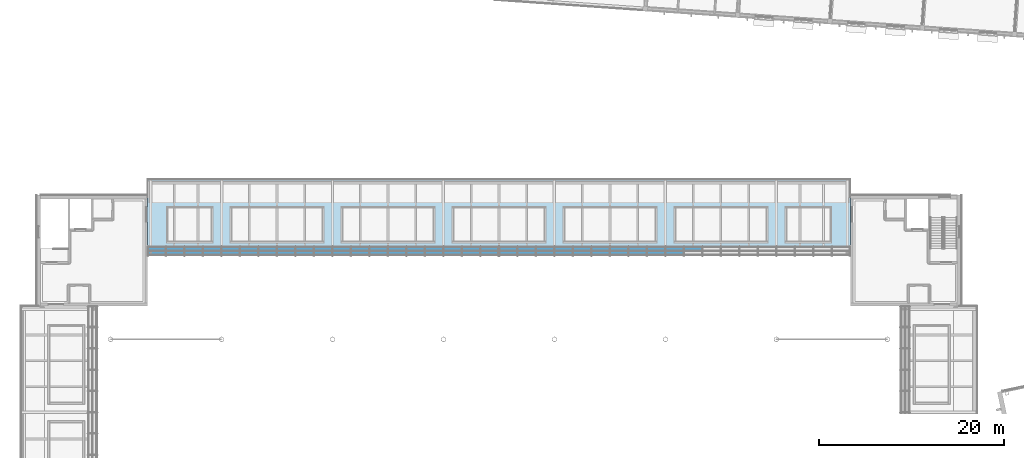
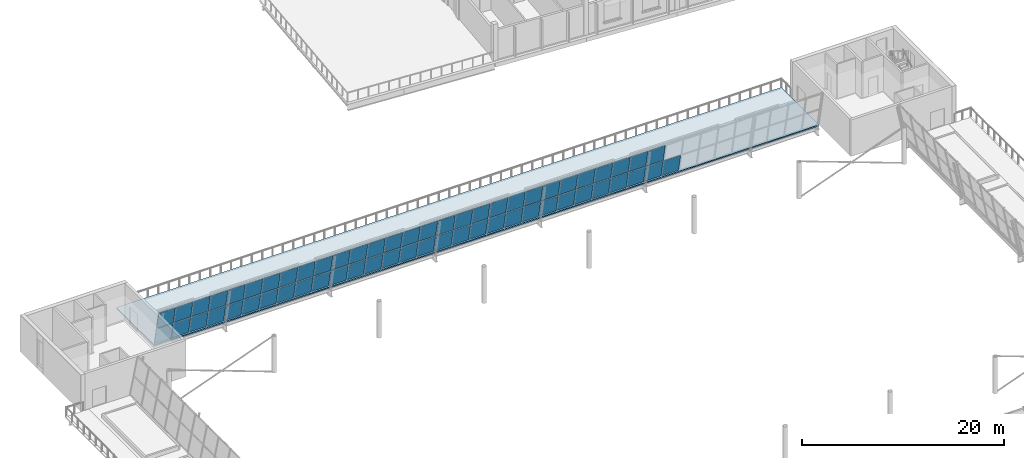
# One storey, part 28 of 58: 59 plates, 1 slab, 2 elements without a shape of their own.
"""IFC4 building model written with IfcOpenShell, lengths in metres."""

from ifc_helpers import new_model, si_unit, direction, frame, origin, place, context, subcontext, project, spatial, polyline, outline, extrude, material, layer, layer_set, type_object, element, aggregate, save


model = new_model("IFC4")

# Units and contexts
model_context = context("Model", 3, precision=1e-05, world=origin(), true_north=direction((0.0, 1.0)))
body_context = subcontext(model_context, "Body", "Model", "MODEL_VIEW")
ifc_project = project(units=[si_unit("LENGTHUNIT", "METRE"), si_unit("AREAUNIT", "SQUARE_METRE"), si_unit("VOLUMEUNIT", "CUBIC_METRE"), si_unit("PLANEANGLEUNIT", "RADIAN"), si_unit("MASSUNIT", "GRAM", prefix="KILO")], contexts=[model_context])

# Site, building, storey
site_placement = place(None, origin())
site = spatial("IfcSite", under=ifc_project, at=site_placement, CompositionType="ELEMENT")
building_placement = place(site_placement, origin())
building = spatial("IfcBuilding", under=site, at=building_placement, Name="Windward Yard Aquatics Centre", CompositionType="ELEMENT")
storey_placement = place(building_placement, frame((0.0, 0.0, 13.800048828125)))
storey = spatial("IfcBuildingStorey", under=building, at=storey_placement, Name="L03", CompositionType="ELEMENT", Elevation=13.800048828125)

# Slab
ifc_material_1 = material(Name="Bituminous waterproofing membrane with root barrier")
ifc_layer_1 = layer(ifc_material_1, 0.005, Name="Waterproofing and root barrier")
ifc_material_2 = material(Name="Cement screed laid to falls")
ifc_layer_2 = layer(ifc_material_2, 0.025, Name="Screed to falls")
ifc_material_3 = material(Name="Concrete C35/45", Category="concrete")
ifc_layer_3 = layer(ifc_material_3, 0.12, Name="Structure")
ifc_layer_set_1 = layer_set([ifc_layer_1, ifc_layer_2, ifc_layer_3], Name="H terrace slab 150 C35/45")
slab_type = type_object("IfcSlabType", Name="H terrace slab 150 C35/45", PredefinedType="FLOOR", material=ifc_layer_set_1)
slab_placement = place(storey_placement, frame((0.0, 0.0, -0.150146484375)))
element("IfcSlab", 1, at=slab_placement, inside=storey, type_object=slab_type, Name="H.T1.N", PredefinedType="FLOOR", context=body_context, shape_type="SweptSolid", body=[
    extrude(outline(polyline([(64.0, 90.290283203125), (140.0, 90.290283203125), (140.0, 97.790283203125), (64.0, 97.790283203125), (64.0, 90.290283203125)])), origin(), (0.0, 0.0, 1.0), 0.150146484375),
])

# Curtain wall, plates
ifc_material_4 = material(Name="Glass and aluminium curtain wall", Category="aluminium")
ifc_layer_4 = layer(ifc_material_4, 0.179931640625)
ifc_layer_set_2 = layer_set([ifc_layer_4], Name="H curtain wall tier 2 double glazed 6+16+6")
curtain_wall_type = type_object("IfcCurtainWallType", Name="H curtain wall tier 2 double glazed 6+16+6", PredefinedType="NOTDEFINED", material=ifc_layer_set_2)
curtain_wall_1_placement = place(storey_placement, origin())
curtain_wall_1 = element("IfcCurtainWall", 2, at=curtain_wall_1_placement, inside=storey, type_object=curtain_wall_type, Name="Tier 2 glazing N L03", PredefinedType="NOTDEFINED")
ifc_material_5 = material(Name="Low-iron glass", Category="glass")
ifc_layer_5 = layer(ifc_material_5, 0.006, Name="Outer pane")
ifc_material_6 = material(Name="Argon-filled cavity")
ifc_layer_6 = layer(ifc_material_6, 0.016, Name="Cavity")
ifc_layer_7 = layer(ifc_material_5, 0.006, Name="Inner pane")
ifc_layer_set_3 = layer_set([ifc_layer_5, ifc_layer_6, ifc_layer_7], Name="H tier 2 glass low-e double glazed unit 28")
plate_type = type_object("IfcPlateType", Name="H tier 2 glass low-e double glazed unit 28", PredefinedType="CURTAIN_PANEL", material=ifc_layer_set_3)
plate_1_placement = place(storey_placement, frame((64.06494140625, 89.966064453125, 2.15380859375), z_axis=(0.0, 0.979914212601, 0.199419497399), x_axis=(0.0, 0.199419497399, -0.979914212601)))
plate_1 = element("IfcPlate", 3, at=plate_1_placement, type_object=plate_type, Name="G2NA panel 1.1", PredefinedType="CURTAIN_PANEL", context=body_context, shape_type="SweptSolid", body=[
    extrude(outline(polyline([(0.0, 0.0), (2.088582, 0.0), (2.088582, -1.902344), (0.0, -1.902344), (0.0, 0.0)])), origin(), (0.0, 0.0, -1.0), 0.028076171875),
])
plate_2_placement = place(storey_placement, frame((64.06494140625, 89.528564453125, 4.3046875), z_axis=(0.0, 0.979943605564, 0.199275010764), x_axis=(0.0, 0.199275010764, -0.979943605564)))
plate_2 = element("IfcPlate", 4, at=plate_2_placement, type_object=plate_type, Name="G2NA panel 1.2", PredefinedType="CURTAIN_PANEL", context=body_context, shape_type="SweptSolid", body=[
    extrude(outline(polyline([(0.0, 0.0), (2.094997, 0.0), (2.094997, -1.902344), (0.0, -1.902344), (0.0, 0.0)])), origin(), (0.0, 0.0, -1.0), 0.028076171875),
])
plate_3_placement = place(storey_placement, frame((66.0322265625, 89.966064453125, 2.15380859375), z_axis=(0.0, 0.979914212601, 0.199419497399), x_axis=(0.0, 0.199419497399, -0.979914212601)))
plate_3 = element("IfcPlate", 5, at=plate_3_placement, type_object=plate_type, Name="G2NA panel 2.1", PredefinedType="CURTAIN_PANEL", context=body_context, shape_type="SweptSolid", body=[
    extrude(outline(polyline([(0.0, 0.0), (2.088582, 0.0), (2.088582, -1.934814), (0.0, -1.934814), (0.0, 0.0)])), origin(), (0.0, 0.0, -1.0), 0.028076171875),
])
plate_4_placement = place(storey_placement, frame((66.0322265625, 89.528564453125, 4.3046875), z_axis=(0.0, 0.979943605564, 0.199275010764), x_axis=(0.0, 0.199275010764, -0.979943605564)))
plate_4 = element("IfcPlate", 6, at=plate_4_placement, type_object=plate_type, Name="G2NA panel 2.2", PredefinedType="CURTAIN_PANEL", context=body_context, shape_type="SweptSolid", body=[
    extrude(outline(polyline([(0.0, 0.0), (2.094997, 0.0), (2.094997, -1.934814), (0.0, -1.934814), (0.0, 0.0)])), origin(), (0.0, 0.0, -1.0), 0.028076171875),
])
plate_5_placement = place(storey_placement, frame((68.031982421875, 89.966064453125, 2.15380859375), z_axis=(0.0, 0.979914212601, 0.199419497399), x_axis=(0.0, 0.199419497399, -0.979914212601)))
plate_5 = element("IfcPlate", 7, at=plate_5_placement, type_object=plate_type, Name="G2NA panel 3.1", PredefinedType="CURTAIN_PANEL", context=body_context, shape_type="SweptSolid", body=[
    extrude(outline(polyline([(0.0, 0.0), (2.088582, 0.0), (2.088582, -1.934814), (0.0, -1.934814), (0.0, 0.0)])), origin(), (0.0, 0.0, -1.0), 0.028076171875),
])
plate_6_placement = place(storey_placement, frame((68.031982421875, 89.528564453125, 4.3046875), z_axis=(0.0, 0.979943605564, 0.199275010764), x_axis=(0.0, 0.199275010764, -0.979943605564)))
plate_6 = element("IfcPlate", 8, at=plate_6_placement, type_object=plate_type, Name="G2NA panel 3.2", PredefinedType="CURTAIN_PANEL", context=body_context, shape_type="SweptSolid", body=[
    extrude(outline(polyline([(0.0, 0.0), (2.094997, 0.0), (2.094997, -1.934814), (0.0, -1.934814), (0.0, 0.0)])), origin(), (0.0, 0.0, -1.0), 0.028076171875),
])
plate_7_placement = place(storey_placement, frame((70.03173828125, 89.966064453125, 2.15380859375), z_axis=(0.0, 0.979914212601, 0.199419497399), x_axis=(0.0, 0.199419497399, -0.979914212601)))
plate_7 = element("IfcPlate", 9, at=plate_7_placement, type_object=plate_type, Name="G2NA panel 4.1", PredefinedType="CURTAIN_PANEL", context=body_context, shape_type="SweptSolid", body=[
    extrude(outline(polyline([(0.0, 0.0), (2.088582, 0.0), (2.088582, -1.934814), (0.0, -1.934814), (0.0, 0.0)])), origin(), (0.0, 0.0, -1.0), 0.028076171875),
])
plate_8_placement = place(storey_placement, frame((70.03173828125, 89.528564453125, 4.3046875), z_axis=(0.0, 0.979943605564, 0.199275010764), x_axis=(0.0, 0.199275010764, -0.979943605564)))
plate_8 = element("IfcPlate", 10, at=plate_8_placement, type_object=plate_type, Name="G2NA panel 4.2", PredefinedType="CURTAIN_PANEL", context=body_context, shape_type="SweptSolid", body=[
    extrude(outline(polyline([(0.0, 0.0), (2.094997, 0.0), (2.094997, -1.934814), (0.0, -1.934814), (0.0, 0.0)])), origin(), (0.0, 0.0, -1.0), 0.028076171875),
])
plate_9_placement = place(storey_placement, frame((72.031494140625, 89.966064453125, 2.15380859375), z_axis=(0.0, 0.979914212601, 0.199419497399), x_axis=(0.0, 0.199419497399, -0.979914212601)))
plate_9 = element("IfcPlate", 11, at=plate_9_placement, type_object=plate_type, Name="G2NA panel 5.1", PredefinedType="CURTAIN_PANEL", context=body_context, shape_type="SweptSolid", body=[
    extrude(outline(polyline([(0.0, 0.0), (2.088582, 0.0), (2.088582, -1.93457), (0.0, -1.93457), (0.0, 0.0)])), origin(), (0.0, 0.0, -1.0), 0.028076171875),
])
plate_10_placement = place(storey_placement, frame((72.031494140625, 89.528564453125, 4.3046875), z_axis=(0.0, 0.979943605564, 0.199275010764), x_axis=(0.0, 0.199275010764, -0.979943605564)))
plate_10 = element("IfcPlate", 12, at=plate_10_placement, type_object=plate_type, Name="G2NA panel 5.2", PredefinedType="CURTAIN_PANEL", context=body_context, shape_type="SweptSolid", body=[
    extrude(outline(polyline([(0.0, 0.0), (2.094997, 0.0), (2.094997, -1.93457), (0.0, -1.93457), (0.0, 0.0)])), origin(), (0.0, 0.0, -1.0), 0.028076171875),
])
plate_11_placement = place(storey_placement, frame((74.03125, 89.966064453125, 2.15380859375), z_axis=(0.0, 0.979914212601, 0.199419497399), x_axis=(0.0, 0.199419497399, -0.979914212601)))
plate_11 = element("IfcPlate", 13, at=plate_11_placement, type_object=plate_type, Name="G2NA panel 6.1", PredefinedType="CURTAIN_PANEL", context=body_context, shape_type="SweptSolid", body=[
    extrude(outline(polyline([(0.0, 0.0), (2.088582, 0.0), (2.088582, -1.93457), (0.0, -1.93457), (0.0, 0.0)])), origin(), (0.0, 0.0, -1.0), 0.028076171875),
])
plate_12_placement = place(storey_placement, frame((74.03125, 89.528564453125, 4.3046875), z_axis=(0.0, 0.979943605564, 0.199275010764), x_axis=(0.0, 0.199275010764, -0.979943605564)))
plate_12 = element("IfcPlate", 14, at=plate_12_placement, type_object=plate_type, Name="G2NA panel 6.2", PredefinedType="CURTAIN_PANEL", context=body_context, shape_type="SweptSolid", body=[
    extrude(outline(polyline([(0.0, 0.0), (2.094997, 0.0), (2.094997, -1.93457), (0.0, -1.93457), (0.0, 0.0)])), origin(), (0.0, 0.0, -1.0), 0.028076171875),
])
plate_13_placement = place(storey_placement, frame((76.031005859375, 89.966064453125, 2.15380859375), z_axis=(0.0, 0.979914212601, 0.199419497399), x_axis=(0.0, 0.199419497399, -0.979914212601)))
plate_13 = element("IfcPlate", 15, at=plate_13_placement, type_object=plate_type, Name="G2NA panel 7.1", PredefinedType="CURTAIN_PANEL", context=body_context, shape_type="SweptSolid", body=[
    extrude(outline(polyline([(0.0, 0.0), (2.088582, 0.0), (2.088582, -1.93457), (0.0, -1.93457), (0.0, 0.0)])), origin(), (0.0, 0.0, -1.0), 0.028076171875),
])
plate_14_placement = place(storey_placement, frame((76.031005859375, 89.528564453125, 4.3046875), z_axis=(0.0, 0.979943605564, 0.199275010764), x_axis=(0.0, 0.199275010764, -0.979943605564)))
plate_14 = element("IfcPlate", 16, at=plate_14_placement, type_object=plate_type, Name="G2NA panel 7.2", PredefinedType="CURTAIN_PANEL", context=body_context, shape_type="SweptSolid", body=[
    extrude(outline(polyline([(0.0, 0.0), (2.094997, 0.0), (2.094997, -1.93457), (0.0, -1.93457), (0.0, 0.0)])), origin(), (0.0, 0.0, -1.0), 0.028076171875),
])
plate_15_placement = place(storey_placement, frame((78.03076171875, 89.966064453125, 2.15380859375), z_axis=(0.0, 0.979914212601, 0.199419497399), x_axis=(0.0, 0.199419497399, -0.979914212601)))
plate_15 = element("IfcPlate", 17, at=plate_15_placement, type_object=plate_type, Name="G2NA panel 8.1", PredefinedType="CURTAIN_PANEL", context=body_context, shape_type="SweptSolid", body=[
    extrude(outline(polyline([(0.0, 0.0), (2.088582, 0.0), (2.088582, -1.93457), (0.0, -1.93457), (0.0, 0.0)])), origin(), (0.0, 0.0, -1.0), 0.028076171875),
])
plate_16_placement = place(storey_placement, frame((78.03076171875, 89.528564453125, 4.3046875), z_axis=(0.0, 0.979943605564, 0.199275010764), x_axis=(0.0, 0.199275010764, -0.979943605564)))
plate_16 = element("IfcPlate", 18, at=plate_16_placement, type_object=plate_type, Name="G2NA panel 8.2", PredefinedType="CURTAIN_PANEL", context=body_context, shape_type="SweptSolid", body=[
    extrude(outline(polyline([(0.0, 0.0), (2.094997, 0.0), (2.094997, -1.93457), (0.0, -1.93457), (0.0, 0.0)])), origin(), (0.0, 0.0, -1.0), 0.028076171875),
])
plate_17_placement = place(storey_placement, frame((80.0302734375, 89.966064453125, 2.15380859375), z_axis=(0.0, 0.979914212601, 0.199419497399), x_axis=(0.0, 0.199419497399, -0.979914212601)))
plate_17 = element("IfcPlate", 19, at=plate_17_placement, type_object=plate_type, Name="G2NA panel 9.1", PredefinedType="CURTAIN_PANEL", context=body_context, shape_type="SweptSolid", body=[
    extrude(outline(polyline([(0.0, 0.0), (2.088582, 0.0), (2.088582, -1.934814), (0.0, -1.934814), (0.0, 0.0)])), origin(), (0.0, 0.0, -1.0), 0.028076171875),
])
plate_18_placement = place(storey_placement, frame((80.0302734375, 89.528564453125, 4.3046875), z_axis=(0.0, 0.979943605564, 0.199275010764), x_axis=(0.0, 0.199275010764, -0.979943605564)))
plate_18 = element("IfcPlate", 20, at=plate_18_placement, type_object=plate_type, Name="G2NA panel 9.2", PredefinedType="CURTAIN_PANEL", context=body_context, shape_type="SweptSolid", body=[
    extrude(outline(polyline([(0.0, 0.0), (2.094997, 0.0), (2.094997, -1.934814), (0.0, -1.934814), (0.0, 0.0)])), origin(), (0.0, 0.0, -1.0), 0.028076171875),
])
plate_19_placement = place(storey_placement, frame((82.030029296875, 89.966064453125, 2.15380859375), z_axis=(0.0, 0.979914212601, 0.199419497399), x_axis=(0.0, 0.199419497399, -0.979914212601)))
plate_19 = element("IfcPlate", 21, at=plate_19_placement, type_object=plate_type, Name="G2NA panel 10.1", PredefinedType="CURTAIN_PANEL", context=body_context, shape_type="SweptSolid", body=[
    extrude(outline(polyline([(0.0, 0.0), (2.088582, 0.0), (2.088582, -1.934814), (0.0, -1.934814), (0.0, 0.0)])), origin(), (0.0, 0.0, -1.0), 0.028076171875),
])
plate_20_placement = place(storey_placement, frame((82.030029296875, 89.528564453125, 4.3046875), z_axis=(0.0, 0.979943605564, 0.199275010764), x_axis=(0.0, 0.199275010764, -0.979943605564)))
plate_20 = element("IfcPlate", 22, at=plate_20_placement, type_object=plate_type, Name="G2NA panel 10.2", PredefinedType="CURTAIN_PANEL", context=body_context, shape_type="SweptSolid", body=[
    extrude(outline(polyline([(0.0, 0.0), (2.094997, 0.0), (2.094997, -1.934814), (0.0, -1.934814), (0.0, 0.0)])), origin(), (0.0, 0.0, -1.0), 0.028076171875),
])
plate_21_placement = place(storey_placement, frame((84.02978515625, 89.966064453125, 2.15380859375), z_axis=(0.0, 0.979914212601, 0.199419497399), x_axis=(0.0, 0.199419497399, -0.979914212601)))
plate_21 = element("IfcPlate", 23, at=plate_21_placement, type_object=plate_type, Name="G2NA panel 11.1", PredefinedType="CURTAIN_PANEL", context=body_context, shape_type="SweptSolid", body=[
    extrude(outline(polyline([(0.0, 0.0), (2.088582, 0.0), (2.088582, -1.934814), (0.0, -1.934814), (0.0, 0.0)])), origin(), (0.0, 0.0, -1.0), 0.028076171875),
])
plate_22_placement = place(storey_placement, frame((84.02978515625, 89.528564453125, 4.3046875), z_axis=(0.0, 0.979943605564, 0.199275010764), x_axis=(0.0, 0.199275010764, -0.979943605564)))
plate_22 = element("IfcPlate", 24, at=plate_22_placement, type_object=plate_type, Name="G2NA panel 11.2", PredefinedType="CURTAIN_PANEL", context=body_context, shape_type="SweptSolid", body=[
    extrude(outline(polyline([(0.0, 0.0), (2.094997, 0.0), (2.094997, -1.934814), (0.0, -1.934814), (0.0, 0.0)])), origin(), (0.0, 0.0, -1.0), 0.028076171875),
])
plate_23_placement = place(storey_placement, frame((86.029541015625, 89.966064453125, 2.15380859375), z_axis=(0.0, 0.979914212601, 0.199419497399), x_axis=(0.0, 0.199419497399, -0.979914212601)))
plate_23 = element("IfcPlate", 25, at=plate_23_placement, type_object=plate_type, Name="G2NA panel 12.1", PredefinedType="CURTAIN_PANEL", context=body_context, shape_type="SweptSolid", body=[
    extrude(outline(polyline([(0.0, 0.0), (2.088582, 0.0), (2.088582, -1.934814), (0.0, -1.934814), (0.0, 0.0)])), origin(), (0.0, 0.0, -1.0), 0.028076171875),
])
plate_24_placement = place(storey_placement, frame((86.029541015625, 89.528564453125, 4.3046875), z_axis=(0.0, 0.979943605564, 0.199275010764), x_axis=(0.0, 0.199275010764, -0.979943605564)))
plate_24 = element("IfcPlate", 26, at=plate_24_placement, type_object=plate_type, Name="G2NA panel 12.2", PredefinedType="CURTAIN_PANEL", context=body_context, shape_type="SweptSolid", body=[
    extrude(outline(polyline([(0.0, 0.0), (2.094997, 0.0), (2.094997, -1.934814), (0.0, -1.934814), (0.0, 0.0)])), origin(), (0.0, 0.0, -1.0), 0.028076171875),
])
plate_25_placement = place(storey_placement, frame((88.029296875, 89.966064453125, 2.15380859375), z_axis=(0.0, 0.979914212601, 0.199419497399), x_axis=(0.0, 0.199419497399, -0.979914212601)))
plate_25 = element("IfcPlate", 27, at=plate_25_placement, type_object=plate_type, Name="G2NA panel 13.1", PredefinedType="CURTAIN_PANEL", context=body_context, shape_type="SweptSolid", body=[
    extrude(outline(polyline([(0.0, 0.0), (2.088582, 0.0), (2.088582, -1.934814), (0.0, -1.934814), (0.0, 0.0)])), origin(), (0.0, 0.0, -1.0), 0.028076171875),
])
plate_26_placement = place(storey_placement, frame((88.029296875, 89.528564453125, 4.3046875), z_axis=(0.0, 0.979943605564, 0.199275010764), x_axis=(0.0, 0.199275010764, -0.979943605564)))
plate_26 = element("IfcPlate", 28, at=plate_26_placement, type_object=plate_type, Name="G2NA panel 13.2", PredefinedType="CURTAIN_PANEL", context=body_context, shape_type="SweptSolid", body=[
    extrude(outline(polyline([(0.0, 0.0), (2.094997, 0.0), (2.094997, -1.934814), (0.0, -1.934814), (0.0, 0.0)])), origin(), (0.0, 0.0, -1.0), 0.028076171875),
])
plate_27_placement = place(storey_placement, frame((90.029052734375, 89.966064453125, 2.15380859375), z_axis=(0.0, 0.979914212601, 0.199419497399), x_axis=(0.0, 0.199419497399, -0.979914212601)))
plate_27 = element("IfcPlate", 29, at=plate_27_placement, type_object=plate_type, Name="G2NA panel 14.1", PredefinedType="CURTAIN_PANEL", context=body_context, shape_type="SweptSolid", body=[
    extrude(outline(polyline([(0.0, 0.0), (2.088582, 0.0), (2.088582, -1.934814), (0.0, -1.934814), (0.0, 0.0)])), origin(), (0.0, 0.0, -1.0), 0.028076171875),
])
plate_28_placement = place(storey_placement, frame((90.029052734375, 89.528564453125, 4.3046875), z_axis=(0.0, 0.979943605564, 0.199275010764), x_axis=(0.0, 0.199275010764, -0.979943605564)))
plate_28 = element("IfcPlate", 30, at=plate_28_placement, type_object=plate_type, Name="G2NA panel 14.2", PredefinedType="CURTAIN_PANEL", context=body_context, shape_type="SweptSolid", body=[
    extrude(outline(polyline([(0.0, 0.0), (2.094997, 0.0), (2.094997, -1.934814), (0.0, -1.934814), (0.0, 0.0)])), origin(), (0.0, 0.0, -1.0), 0.028076171875),
])
plate_29_placement = place(storey_placement, frame((92.02880859375, 89.966064453125, 2.15380859375), z_axis=(0.0, 0.979914212601, 0.199419497399), x_axis=(0.0, 0.199419497399, -0.979914212601)))
plate_29 = element("IfcPlate", 31, at=plate_29_placement, type_object=plate_type, Name="G2NA panel 15.1", PredefinedType="CURTAIN_PANEL", context=body_context, shape_type="SweptSolid", body=[
    extrude(outline(polyline([(0.0, 0.0), (2.088582, 0.0), (2.088582, -1.934814), (0.0, -1.934814), (0.0, 0.0)])), origin(), (0.0, 0.0, -1.0), 0.028076171875),
])
plate_30_placement = place(storey_placement, frame((92.02880859375, 89.528564453125, 4.3046875), z_axis=(0.0, 0.979943605564, 0.199275010764), x_axis=(0.0, 0.199275010764, -0.979943605564)))
plate_30 = element("IfcPlate", 32, at=plate_30_placement, type_object=plate_type, Name="G2NA panel 15.2", PredefinedType="CURTAIN_PANEL", context=body_context, shape_type="SweptSolid", body=[
    extrude(outline(polyline([(0.0, 0.0), (2.094997, 0.0), (2.094997, -1.934814), (0.0, -1.934814), (0.0, 0.0)])), origin(), (0.0, 0.0, -1.0), 0.028076171875),
])
plate_31_placement = place(storey_placement, frame((94.028564453125, 89.966064453125, 2.15380859375), z_axis=(0.0, 0.979914212601, 0.199419497399), x_axis=(0.0, 0.199419497399, -0.979914212601)))
plate_31 = element("IfcPlate", 33, at=plate_31_placement, type_object=plate_type, Name="G2NA panel 16.1", PredefinedType="CURTAIN_PANEL", context=body_context, shape_type="SweptSolid", body=[
    extrude(outline(polyline([(0.0, 0.0), (2.088582, 0.0), (2.088582, -1.934814), (0.0, -1.934814), (0.0, 0.0)])), origin(), (0.0, 0.0, -1.0), 0.028076171875),
])
plate_32_placement = place(storey_placement, frame((94.028564453125, 89.528564453125, 4.3046875), z_axis=(0.0, 0.979943605564, 0.199275010764), x_axis=(0.0, 0.199275010764, -0.979943605564)))
plate_32 = element("IfcPlate", 34, at=plate_32_placement, type_object=plate_type, Name="G2NA panel 16.2", PredefinedType="CURTAIN_PANEL", context=body_context, shape_type="SweptSolid", body=[
    extrude(outline(polyline([(0.0, 0.0), (2.094997, 0.0), (2.094997, -1.934814), (0.0, -1.934814), (0.0, 0.0)])), origin(), (0.0, 0.0, -1.0), 0.028076171875),
])
plate_33_placement = place(storey_placement, frame((96.0283203125, 89.966064453125, 2.15380859375), z_axis=(0.0, 0.979914212601, 0.199419497399), x_axis=(0.0, 0.199419497399, -0.979914212601)))
plate_33 = element("IfcPlate", 35, at=plate_33_placement, type_object=plate_type, Name="G2NA panel 17.1", PredefinedType="CURTAIN_PANEL", context=body_context, shape_type="SweptSolid", body=[
    extrude(outline(polyline([(0.0, 0.0), (2.088582, 0.0), (2.088582, -1.934814), (0.0, -1.934814), (0.0, 0.0)])), origin(), (0.0, 0.0, -1.0), 0.028076171875),
])
plate_34_placement = place(storey_placement, frame((96.0283203125, 89.528564453125, 4.3046875), z_axis=(0.0, 0.979943605564, 0.199275010764), x_axis=(0.0, 0.199275010764, -0.979943605564)))
plate_34 = element("IfcPlate", 36, at=plate_34_placement, type_object=plate_type, Name="G2NA panel 17.2", PredefinedType="CURTAIN_PANEL", context=body_context, shape_type="SweptSolid", body=[
    extrude(outline(polyline([(0.0, 0.0), (2.094997, 0.0), (2.094997, -1.934814), (0.0, -1.934814), (0.0, 0.0)])), origin(), (0.0, 0.0, -1.0), 0.028076171875),
])
plate_35_placement = place(storey_placement, frame((98.028076171875, 89.966064453125, 2.15380859375), z_axis=(0.0, 0.979914212601, 0.199419497399), x_axis=(0.0, 0.199419497399, -0.979914212601)))
plate_35 = element("IfcPlate", 37, at=plate_35_placement, type_object=plate_type, Name="G2NA panel 18.1", PredefinedType="CURTAIN_PANEL", context=body_context, shape_type="SweptSolid", body=[
    extrude(outline(polyline([(0.0, 0.0), (2.088582, 0.0), (2.088582, -1.93457), (0.0, -1.93457), (0.0, 0.0)])), origin(), (0.0, 0.0, -1.0), 0.028076171875),
])
plate_36_placement = place(storey_placement, frame((98.028076171875, 89.528564453125, 4.3046875), z_axis=(0.0, 0.979943605564, 0.199275010764), x_axis=(0.0, 0.199275010764, -0.979943605564)))
plate_36 = element("IfcPlate", 38, at=plate_36_placement, type_object=plate_type, Name="G2NA panel 18.2", PredefinedType="CURTAIN_PANEL", context=body_context, shape_type="SweptSolid", body=[
    extrude(outline(polyline([(0.0, 0.0), (2.094997, 0.0), (2.094997, -1.93457), (0.0, -1.93457), (0.0, 0.0)])), origin(), (0.0, 0.0, -1.0), 0.028076171875),
])
plate_37_placement = place(storey_placement, frame((100.02783203125, 89.966064453125, 2.15380859375), z_axis=(0.0, 0.979914212601, 0.199419497399), x_axis=(0.0, 0.199419497399, -0.979914212601)))
plate_37 = element("IfcPlate", 39, at=plate_37_placement, type_object=plate_type, Name="G2NA panel 19.1", PredefinedType="CURTAIN_PANEL", context=body_context, shape_type="SweptSolid", body=[
    extrude(outline(polyline([(0.0, 0.0), (2.088582, 0.0), (2.088582, -1.9021), (0.0, -1.9021), (0.0, 0.0)])), origin(), (0.0, 0.0, -1.0), 0.028076171875),
])
plate_38_placement = place(storey_placement, frame((100.02783203125, 89.528564453125, 4.3046875), z_axis=(0.0, 0.979943605564, 0.199275010764), x_axis=(0.0, 0.199275010764, -0.979943605564)))
plate_38 = element("IfcPlate", 40, at=plate_38_placement, type_object=plate_type, Name="G2NA panel 19.2", PredefinedType="CURTAIN_PANEL", context=body_context, shape_type="SweptSolid", body=[
    extrude(outline(polyline([(0.0, 0.0), (2.094997, 0.0), (2.094997, -1.9021), (0.0, -1.9021), (0.0, 0.0)])), origin(), (0.0, 0.0, -1.0), 0.028076171875),
])
aggregate(curtain_wall_1, [plate_1, plate_2, plate_3, plate_4, plate_5, plate_6, plate_7, plate_8, plate_9, plate_10, plate_11, plate_12, plate_13, plate_14, plate_15, plate_16, plate_17, plate_18, plate_19, plate_20, plate_21, plate_22, plate_23, plate_24, plate_25, plate_26, plate_27, plate_28, plate_29, plate_30, plate_31, plate_32, plate_33, plate_34, plate_35, plate_36, plate_37, plate_38])

curtain_wall_2_placement = place(storey_placement, origin())
curtain_wall_2 = element("IfcCurtainWall", 41, at=curtain_wall_2_placement, inside=storey, type_object=curtain_wall_type, Name="Tier 2 glazing N L03", PredefinedType="NOTDEFINED")
plate_39_placement = place(storey_placement, frame((102.070068359375, 89.966064453125, 2.15380859375), z_axis=(0.0, 0.979914212601, 0.199419497399), x_axis=(0.0, 0.199419497399, -0.979914212601)))
plate_39 = element("IfcPlate", 42, at=plate_39_placement, type_object=plate_type, Name="G2NB panel 1.1", PredefinedType="CURTAIN_PANEL", context=body_context, shape_type="SweptSolid", body=[
    extrude(outline(polyline([(0.0, 0.0), (2.088582, 0.0), (2.088582, -1.9021), (0.0, -1.9021), (0.0, 0.0)])), origin(), (0.0, 0.0, -1.0), 0.028076171875),
])
plate_40_placement = place(storey_placement, frame((102.070068359375, 89.528564453125, 4.3046875), z_axis=(0.0, 0.979943605564, 0.199275010764), x_axis=(0.0, 0.199275010764, -0.979943605564)))
plate_40 = element("IfcPlate", 43, at=plate_40_placement, type_object=plate_type, Name="G2NB panel 1.2", PredefinedType="CURTAIN_PANEL", context=body_context, shape_type="SweptSolid", body=[
    extrude(outline(polyline([(0.0, 0.0), (2.094997, 0.0), (2.094997, -1.9021), (0.0, -1.9021), (0.0, 0.0)])), origin(), (0.0, 0.0, -1.0), 0.028076171875),
])
plate_41_placement = place(storey_placement, frame((104.037353515625, 89.966064453125, 2.15380859375), z_axis=(0.0, 0.979914212601, 0.199419497399), x_axis=(0.0, 0.199419497399, -0.979914212601)))
plate_41 = element("IfcPlate", 44, at=plate_41_placement, type_object=plate_type, Name="G2NB panel 2.1", PredefinedType="CURTAIN_PANEL", context=body_context, shape_type="SweptSolid", body=[
    extrude(outline(polyline([(0.0, 0.0), (2.088582, 0.0), (2.088582, -1.93457), (0.0, -1.93457), (0.0, 0.0)])), origin(), (0.0, 0.0, -1.0), 0.028076171875),
])
plate_42_placement = place(storey_placement, frame((104.037353515625, 89.528564453125, 4.3046875), z_axis=(0.0, 0.979943605564, 0.199275010764), x_axis=(0.0, 0.199275010764, -0.979943605564)))
plate_42 = element("IfcPlate", 45, at=plate_42_placement, type_object=plate_type, Name="G2NB panel 2.2", PredefinedType="CURTAIN_PANEL", context=body_context, shape_type="SweptSolid", body=[
    extrude(outline(polyline([(0.0, 0.0), (2.094997, 0.0), (2.094997, -1.93457), (0.0, -1.93457), (0.0, 0.0)])), origin(), (0.0, 0.0, -1.0), 0.028076171875),
])
plate_43_placement = place(storey_placement, frame((106.036865234375, 89.966064453125, 2.15380859375), z_axis=(0.0, 0.979914212601, 0.199419497399), x_axis=(0.0, 0.199419497399, -0.979914212601)))
plate_43 = element("IfcPlate", 46, at=plate_43_placement, type_object=plate_type, Name="G2NB panel 3.1", PredefinedType="CURTAIN_PANEL", context=body_context, shape_type="SweptSolid", body=[
    extrude(outline(polyline([(0.0, 0.0), (2.088582, 0.0), (2.088582, -1.934814), (0.0, -1.934814), (0.0, 0.0)])), origin(), (0.0, 0.0, -1.0), 0.028076171875),
])
plate_44_placement = place(storey_placement, frame((106.036865234375, 89.528564453125, 4.3046875), z_axis=(0.0, 0.979943605564, 0.199275010764), x_axis=(0.0, 0.199275010764, -0.979943605564)))
plate_44 = element("IfcPlate", 47, at=plate_44_placement, type_object=plate_type, Name="G2NB panel 3.2", PredefinedType="CURTAIN_PANEL", context=body_context, shape_type="SweptSolid", body=[
    extrude(outline(polyline([(0.0, 0.0), (2.094997, 0.0), (2.094997, -1.934814), (0.0, -1.934814), (0.0, 0.0)])), origin(), (0.0, 0.0, -1.0), 0.028076171875),
])
plate_45_placement = place(storey_placement, frame((108.03662109375, 89.966064453125, 2.15380859375), z_axis=(0.0, 0.979914212601, 0.199419497399), x_axis=(0.0, 0.199419497399, -0.979914212601)))
plate_45 = element("IfcPlate", 48, at=plate_45_placement, type_object=plate_type, Name="G2NB panel 4.1", PredefinedType="CURTAIN_PANEL", context=body_context, shape_type="SweptSolid", body=[
    extrude(outline(polyline([(0.0, 0.0), (2.088582, 0.0), (2.088582, -1.934814), (0.0, -1.934814), (0.0, 0.0)])), origin(), (0.0, 0.0, -1.0), 0.028076171875),
])
plate_46_placement = place(storey_placement, frame((108.03662109375, 89.528564453125, 4.3046875), z_axis=(0.0, 0.979943605564, 0.199275010764), x_axis=(0.0, 0.199275010764, -0.979943605564)))
plate_46 = element("IfcPlate", 49, at=plate_46_placement, type_object=plate_type, Name="G2NB panel 4.2", PredefinedType="CURTAIN_PANEL", context=body_context, shape_type="SweptSolid", body=[
    extrude(outline(polyline([(0.0, 0.0), (2.094997, 0.0), (2.094997, -1.934814), (0.0, -1.934814), (0.0, 0.0)])), origin(), (0.0, 0.0, -1.0), 0.028076171875),
])
plate_47_placement = place(storey_placement, frame((110.036376953125, 89.966064453125, 2.15380859375), z_axis=(0.0, 0.979914212601, 0.199419497399), x_axis=(0.0, 0.199419497399, -0.979914212601)))
plate_47 = element("IfcPlate", 50, at=plate_47_placement, type_object=plate_type, Name="G2NB panel 5.1", PredefinedType="CURTAIN_PANEL", context=body_context, shape_type="SweptSolid", body=[
    extrude(outline(polyline([(0.0, 0.0), (2.088582, 0.0), (2.088582, -1.934814), (0.0, -1.934814), (0.0, 0.0)])), origin(), (0.0, 0.0, -1.0), 0.028076171875),
])
plate_48_placement = place(storey_placement, frame((110.036376953125, 89.528564453125, 4.3046875), z_axis=(0.0, 0.979943605564, 0.199275010764), x_axis=(0.0, 0.199275010764, -0.979943605564)))
plate_48 = element("IfcPlate", 51, at=plate_48_placement, type_object=plate_type, Name="G2NB panel 5.2", PredefinedType="CURTAIN_PANEL", context=body_context, shape_type="SweptSolid", body=[
    extrude(outline(polyline([(0.0, 0.0), (2.094997, 0.0), (2.094997, -1.934814), (0.0, -1.934814), (0.0, 0.0)])), origin(), (0.0, 0.0, -1.0), 0.028076171875),
])
plate_49_placement = place(storey_placement, frame((112.0361328125, 89.966064453125, 2.15380859375), z_axis=(0.0, 0.979914212601, 0.199419497399), x_axis=(0.0, 0.199419497399, -0.979914212601)))
plate_49 = element("IfcPlate", 52, at=plate_49_placement, type_object=plate_type, Name="G2NB panel 6.1", PredefinedType="CURTAIN_PANEL", context=body_context, shape_type="SweptSolid", body=[
    extrude(outline(polyline([(0.0, 0.0), (2.088582, 0.0), (2.088582, -1.934814), (0.0, -1.934814), (0.0, 0.0)])), origin(), (0.0, 0.0, -1.0), 0.028076171875),
])
plate_50_placement = place(storey_placement, frame((112.0361328125, 89.528564453125, 4.3046875), z_axis=(0.0, 0.979943605564, 0.199275010764), x_axis=(0.0, 0.199275010764, -0.979943605564)))
plate_50 = element("IfcPlate", 53, at=plate_50_placement, type_object=plate_type, Name="G2NB panel 6.2", PredefinedType="CURTAIN_PANEL", context=body_context, shape_type="SweptSolid", body=[
    extrude(outline(polyline([(0.0, 0.0), (2.094997, 0.0), (2.094997, -1.934814), (0.0, -1.934814), (0.0, 0.0)])), origin(), (0.0, 0.0, -1.0), 0.028076171875),
])
plate_51_placement = place(storey_placement, frame((114.035888671875, 89.966064453125, 2.15380859375), z_axis=(0.0, 0.979914212601, 0.199419497399), x_axis=(0.0, 0.199419497399, -0.979914212601)))
plate_51 = element("IfcPlate", 54, at=plate_51_placement, type_object=plate_type, Name="G2NB panel 7.1", PredefinedType="CURTAIN_PANEL", context=body_context, shape_type="SweptSolid", body=[
    extrude(outline(polyline([(0.0, 0.0), (2.088582, 0.0), (2.088582, -1.934814), (0.0, -1.934814), (0.0, 0.0)])), origin(), (0.0, 0.0, -1.0), 0.028076171875),
])
plate_52_placement = place(storey_placement, frame((114.035888671875, 89.528564453125, 4.3046875), z_axis=(0.0, 0.979943605564, 0.199275010764), x_axis=(0.0, 0.199275010764, -0.979943605564)))
plate_52 = element("IfcPlate", 55, at=plate_52_placement, type_object=plate_type, Name="G2NB panel 7.2", PredefinedType="CURTAIN_PANEL", context=body_context, shape_type="SweptSolid", body=[
    extrude(outline(polyline([(0.0, 0.0), (2.094997, 0.0), (2.094997, -1.934814), (0.0, -1.934814), (0.0, 0.0)])), origin(), (0.0, 0.0, -1.0), 0.028076171875),
])
plate_53_placement = place(storey_placement, frame((116.03564453125, 89.966064453125, 2.15380859375), z_axis=(0.0, 0.979914212601, 0.199419497399), x_axis=(0.0, 0.199419497399, -0.979914212601)))
plate_53 = element("IfcPlate", 56, at=plate_53_placement, type_object=plate_type, Name="G2NB panel 8.1", PredefinedType="CURTAIN_PANEL", context=body_context, shape_type="SweptSolid", body=[
    extrude(outline(polyline([(0.0, 0.0), (2.088582, 0.0), (2.088582, -1.934814), (0.0, -1.934814), (0.0, 0.0)])), origin(), (0.0, 0.0, -1.0), 0.028076171875),
])
plate_54_placement = place(storey_placement, frame((116.03564453125, 89.528564453125, 4.3046875), z_axis=(0.0, 0.979943605564, 0.199275010764), x_axis=(0.0, 0.199275010764, -0.979943605564)))
plate_54 = element("IfcPlate", 57, at=plate_54_placement, type_object=plate_type, Name="G2NB panel 8.2", PredefinedType="CURTAIN_PANEL", context=body_context, shape_type="SweptSolid", body=[
    extrude(outline(polyline([(0.0, 0.0), (2.094997, 0.0), (2.094997, -1.934814), (0.0, -1.934814), (0.0, 0.0)])), origin(), (0.0, 0.0, -1.0), 0.028076171875),
])
plate_55_placement = place(storey_placement, frame((118.035400390625, 89.966064453125, 2.15380859375), z_axis=(0.0, 0.979914212601, 0.199419497399), x_axis=(0.0, 0.199419497399, -0.979914212601)))
plate_55 = element("IfcPlate", 58, at=plate_55_placement, type_object=plate_type, Name="G2NB panel 9.1", PredefinedType="CURTAIN_PANEL", context=body_context, shape_type="SweptSolid", body=[
    extrude(outline(polyline([(0.0, 0.0), (2.088582, 0.0), (2.088582, -1.934814), (0.0, -1.934814), (0.0, 0.0)])), origin(), (0.0, 0.0, -1.0), 0.028076171875),
])
plate_56_placement = place(storey_placement, frame((118.035400390625, 89.528564453125, 4.3046875), z_axis=(0.0, 0.979943605564, 0.199275010764), x_axis=(0.0, 0.199275010764, -0.979943605564)))
plate_56 = element("IfcPlate", 59, at=plate_56_placement, type_object=plate_type, Name="G2NB panel 9.2", PredefinedType="CURTAIN_PANEL", context=body_context, shape_type="SweptSolid", body=[
    extrude(outline(polyline([(0.0, 0.0), (2.094997, 0.0), (2.094997, -1.934814), (0.0, -1.934814), (0.0, 0.0)])), origin(), (0.0, 0.0, -1.0), 0.028076171875),
])
plate_57_placement = place(storey_placement, frame((120.03515625, 89.966064453125, 2.15380859375), z_axis=(0.0, 0.979914212601, 0.199419497399), x_axis=(0.0, 0.199419497399, -0.979914212601)))
plate_57 = element("IfcPlate", 60, at=plate_57_placement, type_object=plate_type, Name="G2NB panel 10.1", PredefinedType="CURTAIN_PANEL", context=body_context, shape_type="SweptSolid", body=[
    extrude(outline(polyline([(0.0, 0.0), (2.088582, 0.0), (2.088582, -1.934814), (0.0, -1.934814), (0.0, 0.0)])), origin(), (0.0, 0.0, -1.0), 0.028076171875),
])
plate_58_placement = place(storey_placement, frame((120.03515625, 89.528564453125, 4.3046875), z_axis=(0.0, 0.979943605564, 0.199275010764), x_axis=(0.0, 0.199275010764, -0.979943605564)))
plate_58 = element("IfcPlate", 61, at=plate_58_placement, type_object=plate_type, Name="G2NB panel 10.2", PredefinedType="CURTAIN_PANEL", context=body_context, shape_type="SweptSolid", body=[
    extrude(outline(polyline([(0.0, 0.0), (2.094997, 0.0), (2.094997, -1.934814), (0.0, -1.934814), (0.0, 0.0)])), origin(), (0.0, 0.0, -1.0), 0.028076171875),
])
plate_59_placement = place(storey_placement, frame((122.034912109375, 89.966064453125, 2.15380859375), z_axis=(0.0, 0.979914212601, 0.199419497399), x_axis=(0.0, 0.199419497399, -0.979914212601)))
plate_59 = element("IfcPlate", 62, at=plate_59_placement, type_object=plate_type, Name="G2NB panel 11.1", PredefinedType="CURTAIN_PANEL", context=body_context, shape_type="SweptSolid", body=[
    extrude(outline(polyline([(0.0, 0.0), (2.088582, 0.0), (2.088582, -1.934814), (0.0, -1.934814), (0.0, 0.0)])), origin(), (0.0, 0.0, -1.0), 0.028076171875),
])
aggregate(curtain_wall_2, [plate_39, plate_40, plate_41, plate_42, plate_43, plate_44, plate_45, plate_46, plate_47, plate_48, plate_49, plate_50, plate_51, plate_52, plate_53, plate_54, plate_55, plate_56, plate_57, plate_58, plate_59])

save(model, "model.ifc")
